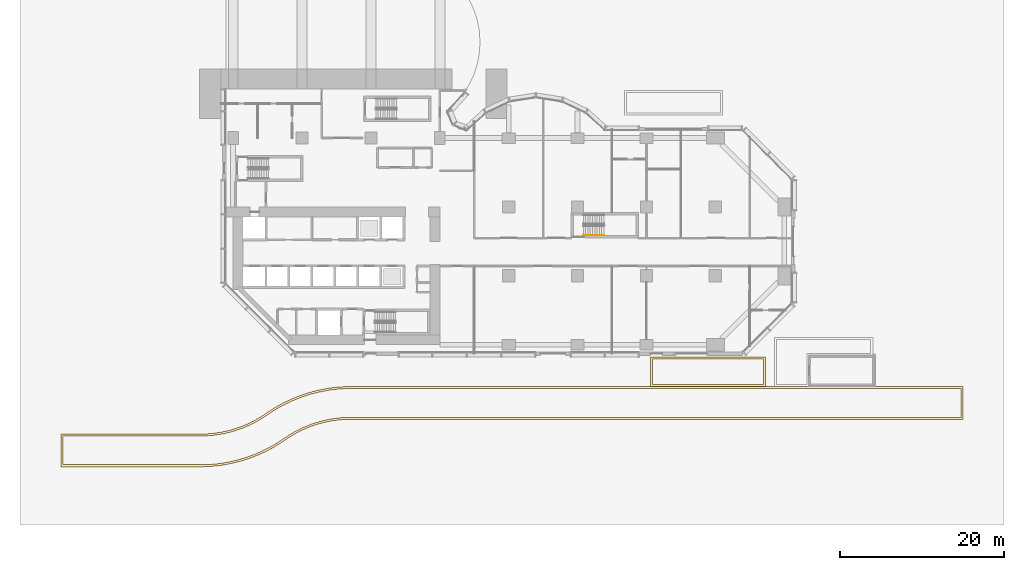
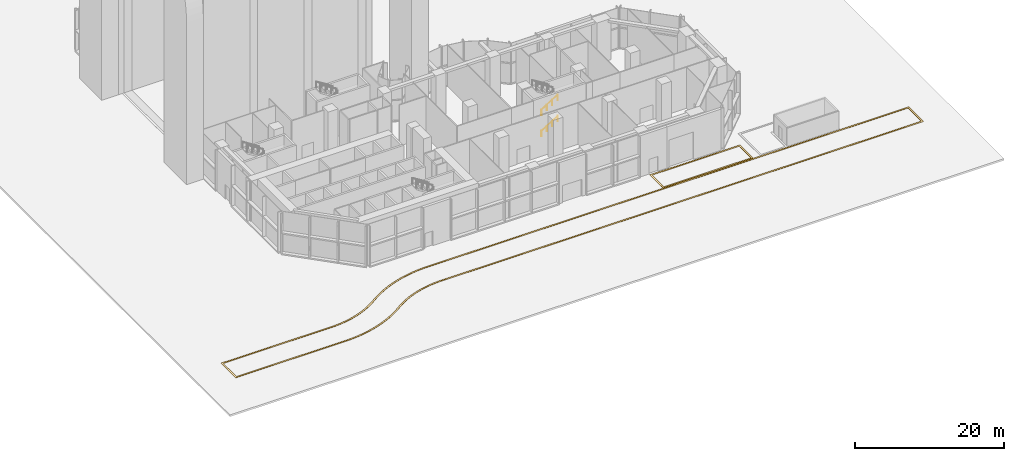
# One storey, part 16 of 21: 2 coverings, 2 railings.
"""IFC4 building model written with IfcOpenShell, lengths in metres."""

from ifc_helpers import new_model, si_unit, direction, frame, origin, origin_2d, place, context, subcontext, project, spatial, polyline, circle, outline, extrude, material, layer, layer_set, type_object, element, save


model = new_model("IFC4")

# Units and contexts
model_context = context("Model", 3, precision=1e-05, world=origin(), true_north=direction((0.0, 1.0)))
body_context = subcontext(model_context, "Body", "Model", "MODEL_VIEW")
ifc_project = project(units=[si_unit("LENGTHUNIT", "METRE"), si_unit("AREAUNIT", "SQUARE_METRE"), si_unit("VOLUMEUNIT", "CUBIC_METRE"), si_unit("PLANEANGLEUNIT", "RADIAN"), si_unit("MASSUNIT", "GRAM", prefix="KILO")], contexts=[model_context])

# Site, building, storey
site_placement = place(None, origin())
site = spatial("IfcSite", under=ifc_project, at=site_placement, CompositionType="ELEMENT")
building_placement = place(site_placement, origin())
building = spatial("IfcBuilding", under=site, at=building_placement, Name="Brevane Broadcast Tower", CompositionType="ELEMENT")
storey_placement = place(building_placement, origin())
storey = spatial("IfcBuildingStorey", under=building, at=storey_placement, Name="L00", CompositionType="ELEMENT", Elevation=0.0)

# Covering
ifc_material_1 = material(Name="Granite kerb", Category="masonry")
ifc_layer_1 = layer(ifc_material_1, 0.02001953125)
ifc_layer_set_1 = layer_set([ifc_layer_1], Name="Bay kerb line 20")
covering_type_1 = type_object("IfcCoveringType", Name="Bay kerb line 20", PredefinedType="FLOORING", material=ifc_layer_set_1)
covering_1_placement = place(storey_placement, origin())
element("IfcCovering", 1, at=covering_1_placement, inside=storey, type_object=covering_type_1, Name="OB vehicle bay kerb line", PredefinedType="FLOORING", context=body_context, shape_type="SweptSolid", body=[
    extrude(outline(polyline([(50.89990234375, -5.10009765625), (64.89990234375, -5.10009765625), (64.89990234375, -1.5), (50.89990234375, -1.5), (50.89990234375, -5.10009765625)]), holes=[polyline([(64.64990234375, -4.85009765625), (64.64990234375, -1.75), (51.14990234375, -1.75), (51.14990234375, -4.85009765625), (64.64990234375, -4.85009765625)])]), origin(), (0.0, 0.0, 1.0), 0.02001953125),
])

# Railings
ifc_material_2 = material(Name="Steel S355", Category="steel")
railing_type = type_object("IfcRailingType", Name="Exit stair handrail", PredefinedType="HANDRAIL", material=ifc_material_2)
for number, where, name in (
    (2, (42.699951171875, 13.35009765625, 0.175048828125), "L00 ST-4 stair handrail 1"),
    (3, (42.699951171875, 13.35009765625, 3.675048828125), "L00 ST-4 stair handrail 3"),
):
    element("IfcRailing", number, at=place(storey_placement, frame(where)), inside=storey, type_object=railing_type, Name=name, PredefinedType="HANDRAIL", context=body_context, shape_type="SweptSolid", body=[
        extrude(circle(Radius=0.02392578125, at=origin_2d()), frame((0.0, 0.0, 0.8759765625), z_axis=(0.848007534815, 0.0, 0.529984170421), x_axis=(0.0, 1.0, 0.0)), (0.0, 0.0, 1.0), 2.9716796875),
        extrude(circle(Radius=0.02099609375, at=origin_2d()), origin(), (0.0, 0.0, 1.0), 0.851806640625),
        extrude(circle(Radius=0.02099609375, at=origin_2d()), frame((0.840087890625, 0.0, 0.52490234375)), (0.0, 0.0, 1.0), 0.851806640625),
        extrude(circle(Radius=0.02099609375, at=origin_2d()), frame((1.679931640625, 0.0, 1.050048828125)), (0.0, 0.0, 1.0), 0.851806640625),
        extrude(circle(Radius=0.02099609375, at=origin_2d()), frame((2.52001953125, 0.0, 1.574951171875)), (0.0, 0.0, 1.0), 0.851806640625),
    ])

# Covering
ifc_layer_2 = layer(ifc_material_1, 0.02001953125)
ifc_layer_set_2 = layer_set([ifc_layer_2], Name="Lane kerb line 20")
covering_type_2 = type_object("IfcCoveringType", Name="Lane kerb line 20", PredefinedType="FLOORING", material=ifc_layer_set_2)
covering_2_placement = place(storey_placement, origin())
element("IfcCovering", 4, at=covering_2_placement, inside=storey, type_object=covering_type_2, Name="Service lane kerb line", PredefinedType="FLOORING", context=body_context, shape_type="SweptSolid", body=[
    extrude(outline(polyline([(-2.718994140625, -10.828125), (-3.145263671875, -10.86083984375), (-3.572509765625, -10.88037109375), (-4.015380859375, -10.88720703125), (-21.0, -10.88720703125), (-21.0, -14.88720703125), (-4.0, -14.88720703125), (-3.969482421875, -14.886962890625), (-3.480712890625, -14.87939453125), (-3.419921875, -14.877685546875), (-2.931640625, -14.855224609375), (-2.87060546875, -14.8515625), (-2.38330078125, -14.814208984375), (-2.322509765625, -14.80859375), (-1.836669921875, -14.756591796875), (-1.776123046875, -14.7490234375), (-1.2919921875, -14.68212890625), (-1.231689453125, -14.6728515625), (-0.749755859375, -14.591064453125), (-0.689697265625, -14.579833984375), (-0.210693359375, -14.4833984375), (-0.15087890625, -14.470703125), (0.324951171875, -14.359619140625), (0.38427734375, -14.3447265625), (0.8564453125, -14.219482421875), (0.915283203125, -14.202880859375), (1.383544921875, -14.06298828125), (1.44189453125, -14.044677734375), (1.905517578125, -13.890625), (1.963134765625, -13.870361328125), (2.422119140625, -13.702392578125), (2.47900390625, -13.680419921875), (2.9326171875, -13.498291015625), (2.989013671875, -13.474609375), (3.4365234375, -13.27880859375), (3.4921875, -13.253662109375), (3.93359375, -13.044189453125), (3.988525390625, -13.01708984375), (4.42333984375, -12.794189453125), (4.477294921875, -12.765625), (4.9052734375, -12.52978515625), (4.958251953125, -12.49951171875), (5.37890625, -12.25048828125), (5.430908203125, -12.218505859375), (5.843505859375, -11.956787109375), (5.894775390625, -11.92333984375), (6.678466796875, -11.39208984375), (7.03955078125, -11.1630859375), (7.407470703125, -10.9453125), (7.781982421875, -10.739013671875), (8.16259765625, -10.5439453125), (8.548828125, -10.36083984375), (8.940673828125, -10.189453125), (9.33740234375, -10.030029296875), (9.739013671875, -9.883056640625), (10.14453125, -9.748291015625), (10.55419921875, -9.6259765625), (10.967529296875, -9.51611328125), (11.384033203125, -9.4189453125), (11.80322265625, -9.334716796875), (12.224853515625, -9.26318359375), (12.648193359375, -9.20458984375), (13.073486328125, -9.158935546875), (13.499755859375, -9.126220703125), (13.927001953125, -9.106689453125), (14.36962890625, -9.10009765625), (89.0, -9.10009765625), (89.0, -5.10009765625), (64.89990234375, -5.10009765625), (50.89990234375, -5.10009765625), (14.3544921875, -5.10009765625), (14.323974609375, -5.10009765625), (13.835205078125, -5.107666015625), (13.774169921875, -5.109619140625), (13.2861328125, -5.1318359375), (13.22509765625, -5.1357421875), (12.73779296875, -5.1728515625), (12.677001953125, -5.178466796875), (12.191162109375, -5.230712890625), (12.130615234375, -5.238037109375), (11.646484375, -5.30517578125), (11.586181640625, -5.314453125), (11.104248046875, -5.39599609375), (11.044189453125, -5.4072265625), (10.565185546875, -5.503662109375), (10.505615234375, -5.5166015625), (10.029541015625, -5.62744140625), (9.97021484375, -5.642333984375), (9.498046875, -5.767578125), (9.439208984375, -5.7841796875), (8.970947265625, -5.924072265625), (8.91259765625, -5.9423828125), (8.448974609375, -6.096435546875), (8.391357421875, -6.11669921875), (7.932373046875, -6.284912109375), (7.87548828125, -6.306640625), (7.421875, -6.48876953125), (7.365478515625, -6.512451171875), (6.91796875, -6.708251953125), (6.8623046875, -6.733642578125), (6.420654296875, -6.943115234375), (6.365966796875, -6.969970703125), (5.930908203125, -7.19287109375), (5.877197265625, -7.221435546875), (5.44921875, -7.45751953125), (5.39599609375, -7.48779296875), (4.9755859375, -7.73681640625), (4.923583984375, -7.7685546875), (4.5107421875, -8.0302734375), (4.459716796875, -8.063720703125), (3.676025390625, -8.594970703125), (3.31494140625, -8.823974609375), (2.947021484375, -9.041748046875), (2.572509765625, -9.248291015625), (2.19189453125, -9.443115234375), (1.8056640625, -9.62646484375), (1.413818359375, -9.797607421875), (1.01708984375, -9.95703125), (0.615478515625, -10.104248046875), (0.209716796875, -10.239013671875), (-0.199951171875, -10.361328125), (-0.613037109375, -10.470947265625), (-1.029541015625, -10.568115234375), (-1.44873046875, -10.652587890625), (-1.870361328125, -10.72412109375), (-2.2939453125, -10.782470703125), (-2.718994140625, -10.828125)]), holes=[polyline([(-3.130126953125, -11.1103515625), (-3.564697265625, -11.13037109375), (-4.013427734375, -11.13720703125), (-20.75, -11.13720703125), (-20.75, -14.63720703125), (-4.0009765625, -14.63720703125), (-3.972412109375, -14.636962890625), (-3.486572265625, -14.62939453125), (-3.42919921875, -14.627685546875), (-2.945068359375, -14.60546875), (-2.8876953125, -14.60205078125), (-2.404296875, -14.565185546875), (-2.347412109375, -14.559814453125), (-1.865234375, -14.508056640625), (-1.808349609375, -14.501220703125), (-1.328125, -14.434814453125), (-1.271484375, -14.426025390625), (-0.79345703125, -14.344970703125), (-0.7373046875, -14.33447265625), (-0.261962890625, -14.23876953125), (-0.205810546875, -14.226806640625), (0.266357421875, -14.11669921875), (0.32177734375, -14.102783203125), (0.790283203125, -13.978271484375), (0.845703125, -13.962646484375), (1.31005859375, -13.823974609375), (1.36474609375, -13.806884765625), (1.824951171875, -13.65380859375), (1.87890625, -13.635009765625), (2.334228515625, -13.46826171875), (2.3876953125, -13.44775390625), (2.837646484375, -13.26708984375), (2.890380859375, -13.244873046875), (3.334716796875, -13.050537109375), (3.38671875, -13.02685546875), (3.82470703125, -12.819091796875), (3.876220703125, -12.793701171875), (4.3076171875, -12.57275390625), (4.3583984375, -12.5458984375), (4.782958984375, -12.311767578125), (4.83251953125, -12.283203125), (5.249755859375, -12.036376953125), (5.298583984375, -12.00634765625), (5.7080078125, -11.74658203125), (5.756103515625, -11.71533203125), (6.54150390625, -11.18310546875), (6.908935546875, -10.9501953125), (7.283447265625, -10.728271484375), (7.66455078125, -10.518310546875), (8.052001953125, -10.319580078125), (8.4453125, -10.13330078125), (8.843994140625, -9.958740234375), (9.247802734375, -9.796630859375), (9.656494140625, -9.64697265625), (10.0693359375, -9.509765625), (10.486572265625, -9.38525390625), (10.906982421875, -9.2734375), (11.3310546875, -9.1748046875), (11.757568359375, -9.0888671875), (12.186767578125, -9.01611328125), (12.617919921875, -8.956298828125), (13.050537109375, -8.909912109375), (13.484619140625, -8.876708984375), (13.919189453125, -8.85693359375), (14.367919921875, -8.85009765625), (88.75, -8.85009765625), (88.75, -5.35009765625), (14.35546875, -5.35009765625), (14.326904296875, -5.35009765625), (13.841064453125, -5.357666015625), (13.78369140625, -5.359375), (13.29931640625, -5.381591796875), (13.2421875, -5.385009765625), (12.7587890625, -5.422119140625), (12.701904296875, -5.42724609375), (12.2197265625, -5.47900390625), (12.162841796875, -5.486083984375), (11.6826171875, -5.552490234375), (11.6259765625, -5.561279296875), (11.14794921875, -5.64208984375), (11.091796875, -5.652587890625), (10.6162109375, -5.748291015625), (10.560302734375, -5.760498046875), (10.088134765625, -5.87060546875), (10.03271484375, -5.884521484375), (9.56396484375, -6.0087890625), (9.5087890625, -6.0244140625), (9.044189453125, -6.1630859375), (8.98974609375, -6.180419921875), (8.529541015625, -6.333251953125), (8.4755859375, -6.35205078125), (8.020263671875, -6.518798828125), (7.966796875, -6.539306640625), (7.516845703125, -6.72021484375), (7.464111328125, -6.7421875), (7.019775390625, -6.9365234375), (6.9677734375, -6.960205078125), (6.529541015625, -7.168212890625), (6.478271484375, -7.193359375), (6.046630859375, -7.414306640625), (5.99609375, -7.44140625), (5.571533203125, -7.675537109375), (5.52197265625, -7.703857421875), (5.1044921875, -7.950927734375), (5.055908203125, -7.980712890625), (4.646240234375, -8.240478515625), (4.598388671875, -8.271728515625), (3.81298828125, -8.803955078125), (3.445556640625, -9.037109375), (3.071044921875, -9.2587890625), (2.68994140625, -9.468994140625), (2.302490234375, -9.66748046875), (1.9091796875, -9.85400390625), (1.510498046875, -10.0283203125), (1.106689453125, -10.1904296875), (0.697998046875, -10.340087890625), (0.284912109375, -10.477294921875), (-0.132080078125, -10.601806640625), (-0.552734375, -10.713623046875), (-0.9765625, -10.8125), (-1.4033203125, -10.898193359375), (-1.832275390625, -10.97119140625), (-2.263427734375, -11.03076171875), (-2.696044921875, -11.0771484375), (-3.130126953125, -11.1103515625)])]), origin(), (0.0, 0.0, 1.0), 0.02001953125),
])

save(model, "model.ifc")
